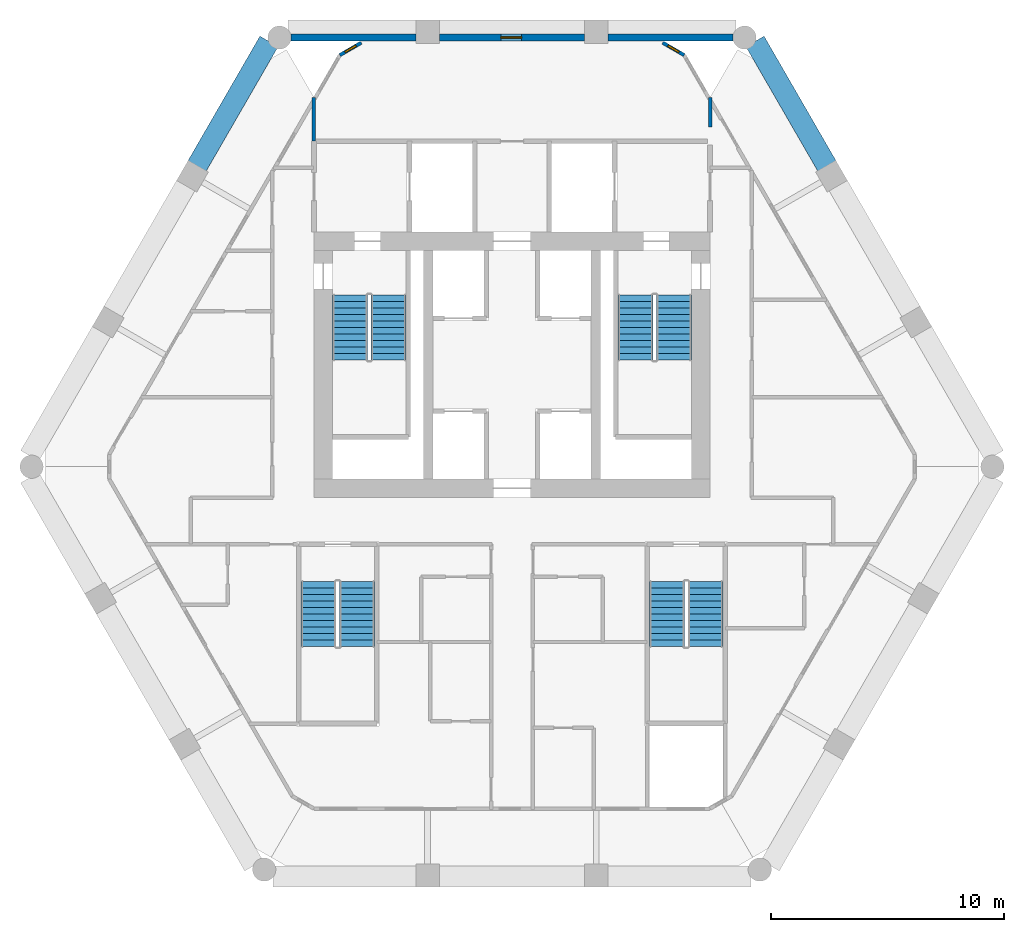
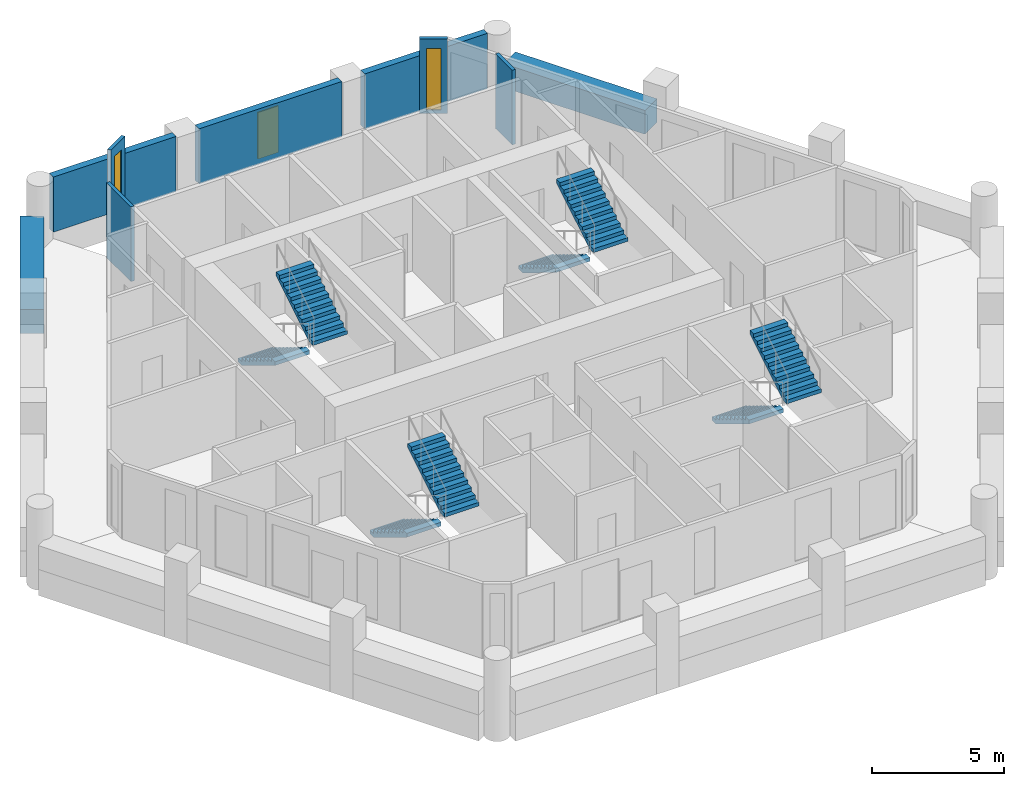
# One storey, part 6 of 7: 9 walls, 8 stair flights, 3 windows, 3 openings, 4 elements without a shape of their own.
"""IFC4 building model written with IfcOpenShell, lengths in metres."""

import ifcopenshell
import ifcopenshell.guid

model = None  # the IFC model being written
_history = None  # IfcOwnerHistory: only IFC2X3 demands one
_inside = {}  # id of a spatial element -> (the spatial element, [elements in it])
_under = {}  # id of a project, library or spatial element -> (it, [spatial elements below it])
_declared = {}  # id of a project -> (the project, [libraries it declares])
_typed = {}  # id of a type object -> (the type object, [elements of that type])
_made_of = {}  # id of a material, layer set ... -> (it, [elements and type objects made of it])


def new_model(schema):
    """Start an empty IFC model of exactly this schema.

    Asked for "IFC4X3", IfcOpenShell would pick the latest addendum, in which some entities
    have other attributes; the version numbers below select the first issue.
    IFC2X3 requires an IfcOwnerHistory on every rooted entity: one is made here for all.
    """
    global model, _history
    if schema == "IFC4X3":
        model = ifcopenshell.file(schema_version=(4, 3, 0, 0))
    else:
        model = ifcopenshell.file(schema=schema)
    _inside.clear()
    _under.clear()
    _declared.clear()
    _typed.clear()
    _made_of.clear()
    _history = None
    if model.schema == "IFC2X3":
        org = make("IfcOrganization", Name="unknown")
        user = make(
            "IfcPersonAndOrganization",
            ThePerson=make("IfcPerson", FamilyName="unknown"),
            TheOrganization=org,
        )
        app = make(
            "IfcApplication",
            ApplicationDeveloper=org,
            Version="unknown",
            ApplicationFullName="unknown",
            ApplicationIdentifier="unknown",
        )
        _history = make(
            "IfcOwnerHistory",
            OwningUser=user,
            OwningApplication=app,
            ChangeAction="ADDED",
            CreationDate=0,
        )
    return model


def make(cls, **values):
    """One entity of the class cls with the attributes given. An attribute that is None is left unset."""
    return model.create_entity(
        cls, **{name: value for name, value in values.items() if value is not None}
    )


def rooted(cls, **values):
    """An entity with a GlobalId (a new one), such as an element, a storey or a relation."""
    return make(cls, GlobalId=ifcopenshell.guid.new(), OwnerHistory=_history, **values)


def si_unit(unit_type, name, prefix=None):
    """IfcSIUnit, for example si_unit("LENGTHUNIT", "METRE", prefix="MILLI")."""
    return make("IfcSIUnit", UnitType=unit_type, Prefix=prefix, Name=name)


def assignment(units):
    """IfcUnitAssignment: the units of a project."""
    return None if units is None else make("IfcUnitAssignment", Units=units)


def point(xyz):
    """IfcCartesianPoint."""
    return None if xyz is None else make("IfcCartesianPoint", Coordinates=xyz)


def direction(xyz):
    """IfcDirection."""
    return None if xyz is None else make("IfcDirection", DirectionRatios=xyz)


def frame(location, z_axis=None, x_axis=None):
    """IfcAxis2Placement3D, a coordinate frame: its origin and axes. An axis left out is left unset."""
    return make(
        "IfcAxis2Placement3D",
        Location=point(location),
        Axis=direction(z_axis),
        RefDirection=direction(x_axis),
    )


def frame_2d(location, x_axis=None):
    """IfcAxis2Placement2D, a coordinate frame in the plane: its origin and x axis."""
    return make(
        "IfcAxis2Placement2D", Location=point(location), RefDirection=direction(x_axis)
    )


def origin():
    """The frame at (0, 0, 0) with its axes left unset."""
    return frame((0.0, 0.0, 0.0))


def place(relative_to, where):
    """IfcLocalPlacement: puts the frame where relative to a parent placement (None: the world)."""
    return make(
        "IfcLocalPlacement", PlacementRelTo=relative_to, RelativePlacement=where
    )


def context(
    kind, dimensions, precision=None, world=None, true_north=None, identifier=None
):
    """IfcGeometricRepresentationContext, for example the 3D "Model" context."""
    return make(
        "IfcGeometricRepresentationContext",
        ContextIdentifier=identifier,
        ContextType=kind,
        CoordinateSpaceDimension=dimensions,
        Precision=precision,
        WorldCoordinateSystem=world,
        TrueNorth=true_north,
    )


def subcontext(parent, identifier, kind, view, scale=None):
    """IfcGeometricRepresentationSubContext, for example "Body" below "Model"."""
    return make(
        "IfcGeometricRepresentationSubContext",
        ContextIdentifier=identifier,
        ContextType=kind,
        ParentContext=parent,
        TargetScale=scale,
        TargetView=view,
    )


def project(units=None, contexts=None):
    """IfcProject with its units and contexts."""
    return rooted(
        "IfcProject",
        Name="project",
        RepresentationContexts=contexts,
        UnitsInContext=assignment(units),
    )


def spatial(cls, under=None, at=None, **own):
    """A site, building, storey or space (cls), placed at a placement, below another one or the project."""
    s = rooted(cls, ObjectPlacement=at, **own)
    if under is not None:
        _under.setdefault(under.id(), (under, []))[1].append(s)
    return s


def polyline(points):
    """IfcPolyline through the points."""
    return make("IfcPolyline", Points=[point(p) for p in points])


def profile(cls, at=None, kind="AREA", **sizes):
    """A parametric profile (cls). Its sizes go by their IFC names, for example OverallWidth=200.0."""
    return make(cls, ProfileType=kind, Position=at, **sizes)


def rectangle(**sizes):
    """IfcRectangleProfileDef."""
    return profile("IfcRectangleProfileDef", **sizes)


def outline(outer, holes=None, kind="AREA"):
    """IfcArbitraryClosedProfileDef: a profile drawn as a closed curve; with holes, ...WithVoids."""
    if holes is None:
        return make("IfcArbitraryClosedProfileDef", ProfileType=kind, OuterCurve=outer)
    return make(
        "IfcArbitraryProfileDefWithVoids",
        ProfileType=kind,
        OuterCurve=outer,
        InnerCurves=holes,
    )


def extrude(swept, where, along, depth):
    """IfcExtrudedAreaSolid: the profile swept, set in the frame where, extruded along a direction by depth."""
    return make(
        "IfcExtrudedAreaSolid",
        SweptArea=swept,
        Position=where,
        ExtrudedDirection=direction(along),
        Depth=depth,
    )


def shape(context_of_items, identifier, shape_type, items):
    """IfcShapeRepresentation: the items that make up one representation, for example the "Body"."""
    return make(
        "IfcShapeRepresentation",
        ContextOfItems=context_of_items,
        RepresentationIdentifier=identifier,
        RepresentationType=shape_type,
        Items=items,
    )


def material(Name=None, Category=None):
    """IfcMaterial."""
    return make("IfcMaterial", Name=Name, Category=Category)


def layer(
    of_material, thickness, ventilated=None, Name=None, Category=None, Priority=None
):
    """IfcMaterialLayer: one layer of a wall or slab, of a material (None: an air gap)."""
    return make(
        "IfcMaterialLayer",
        Material=of_material,
        LayerThickness=thickness,
        IsVentilated=ventilated,
        Name=Name,
        Category=Category,
        Priority=Priority,
    )


def layer_set(layers, Name=None):
    """IfcMaterialLayerSet."""
    return make("IfcMaterialLayerSet", MaterialLayers=layers, LayerSetName=Name)


def made_of(thing, what):
    """Note that an element or type object is made of a material, layer set ...; save() writes the relation."""
    if what is not None:
        _made_of.setdefault(what.id(), (what, []))[1].append(thing)
    return thing


def type_object(cls, material=None, **own):
    """A type object (cls), such as IfcWallType, which elements share."""
    return made_of(rooted(cls, **own), material)


def element(
    cls,
    number,
    at=None,
    inside=None,
    cuts=None,
    type_object=None,
    material=None,
    context=None,
    identifier="Body",
    shape_type=None,
    held_by="IfcProductDefinitionShape",
    body=None,
    shapes=None,
    **own,
):
    """One element of the class cls, such as IfcWall. Its Tag is "e" and its number.

    at: its placement. inside: the storey or other place that contains it. cuts: it is an
    opening in that element (IfcRelVoidsElement). A single representation is given by context,
    identifier, shape_type and body (its items); several are given by shapes. held_by: the class
    of the entity that holds the representations. save() writes the other relations.
    """
    e = rooted(cls, Tag="e%d" % number, ObjectPlacement=at, **own)
    if body is not None:
        shapes = [shape(context, identifier, shape_type, body)]
    if shapes is not None:
        e.Representation = make(held_by, Representations=shapes)
    if inside is not None:
        _inside.setdefault(inside.id(), (inside, []))[1].append(e)
    if cuts is not None:
        rooted(
            "IfcRelVoidsElement", RelatingBuildingElement=cuts, RelatedOpeningElement=e
        )
    if type_object is not None:
        _typed.setdefault(type_object.id(), (type_object, []))[1].append(e)
    return made_of(e, material)


def fill(opening, filler):
    """IfcRelFillsElement: the door or window that sits in an opening."""
    return rooted(
        "IfcRelFillsElement",
        RelatingOpeningElement=opening,
        RelatedBuildingElement=filler,
    )


def aggregate(whole, parts):
    """IfcRelAggregates: a whole, such as a stair, and the parts it consists of."""
    return rooted("IfcRelAggregates", RelatingObject=whole, RelatedObjects=parts)


def save(model, path):
    """Write the relations noted so far, then the file.

    IfcRelAggregates (storeys below a building ...), IfcRelContainedInSpatialStructure (elements
    in a storey), IfcRelDefinesByType, IfcRelAssociatesMaterial and IfcRelDeclares: one each for
    every whole, place, type object, material and project.
    """
    for whole, parts in _under.values():
        aggregate(whole, parts)
    for where, things in _inside.values():
        rooted(
            "IfcRelContainedInSpatialStructure",
            RelatedElements=things,
            RelatingStructure=where,
        )
    for kind, things in _typed.values():
        rooted("IfcRelDefinesByType", RelatedObjects=things, RelatingType=kind)
    for what, things in _made_of.values():
        rooted("IfcRelAssociatesMaterial", RelatedObjects=things, RelatingMaterial=what)
    for by, libraries in _declared.values():
        rooted("IfcRelDeclares", RelatingContext=by, RelatedDefinitions=libraries)
    model.write(path)


model = new_model("IFC4")

# Units and contexts
model_context = context("Model", 3, precision=1e-05, world=origin(), true_north=direction((0.0, 1.0)))
body_context = subcontext(model_context, "Body", "Model", "MODEL_VIEW")
ifc_project = project(units=[si_unit("LENGTHUNIT", "METRE"), si_unit("AREAUNIT", "SQUARE_METRE"), si_unit("VOLUMEUNIT", "CUBIC_METRE"), si_unit("PLANEANGLEUNIT", "RADIAN"), si_unit("MASSUNIT", "GRAM", prefix="KILO")], contexts=[model_context])

# Site, building, storey
site_placement = place(None, origin())
site = spatial("IfcSite", under=ifc_project, at=site_placement, CompositionType="ELEMENT")
building_placement = place(site_placement, origin())
building = spatial("IfcBuilding", under=site, at=building_placement, Name="Ostrander Bayou Hotel Tower", CompositionType="ELEMENT")
storey_placement = place(building_placement, frame((0.0, 0.0, 172.0)))
storey = spatial("IfcBuildingStorey", under=building, at=storey_placement, Name="L42", CompositionType="ELEMENT", Elevation=172.0)

# Wall, opening, window
ifc_material_1 = material(Name="Aluminium framed insulated wall", Category="aluminium")
ifc_layer_1 = layer(ifc_material_1, 0.14990234375)
ifc_layer_set_1 = layer_set([ifc_layer_1], Name="GW1 glass-line wall 150 mm")
wall_type_1 = type_object("IfcWallType", Name="GW1 glass-line wall 150 mm", PredefinedType="SOLIDWALL", material=ifc_layer_set_1)
wall_1_placement = place(storey_placement, frame((-6.470458984375, 17.824951171875, 0.0), z_axis=(0.0, 0.0, 1.0), x_axis=(-0.866048165231, -0.499960573946, 0.0)))
wall_1 = element("IfcWall", 1, at=wall_1_placement, inside=storey, type_object=wall_type_1, Name="GW1 L42 corner 1", PredefinedType="SOLIDWALL", context=body_context, shape_type="SweptSolid", body=[
    extrude(rectangle(XDim=1.06494140625, YDim=0.14990234375, at=frame_2d((0.532470703125, 0.0))), origin(), (0.0, 0.0, 1.0), 3.449951171875),
])
opening_1_placement = place(wall_1_placement, frame((0.257568359375, 0.0, 0.14990234375)))
opening_1 = element("IfcOpeningElement", 2, at=opening_1_placement, cuts=wall_1, Name="Opening W19", PredefinedType="OPENING", context=body_context, shape_type="SweptSolid", body=[
    extrude(rectangle(XDim=0.550048828125, YDim=2.85009765625, at=frame_2d((0.27490234375, 1.425048828125))), frame((0.0, 0.074951171875, 0.0), z_axis=(0.0, -1.0, 0.0), x_axis=(1.0, 0.0, 0.0)), (0.0, 0.0, 1.0), 0.14990234375),
])
ifc_material_2 = material(Name="Aluminium and clear glass", Category="aluminium")
window_type_1 = type_object("IfcWindowType", Name="W19 corner window 550 mm", PartitioningType="SINGLE_PANEL", PredefinedType="WINDOW", material=ifc_material_2)
window_1_placement = place(opening_1_placement, origin())
window_1 = element("IfcWindow", 3, at=window_1_placement, inside=storey, type_object=window_type_1, Name="W19 L42 corner 1", OverallHeight=2.85009765625, OverallWidth=0.550048828125, PartitioningType="SINGLE_PANEL", PredefinedType="WINDOW", context=body_context, shape_type="SweptSolid", body=[
    extrude(rectangle(XDim=0.550048828125, YDim=2.85009765625, at=frame_2d((0.27490234375, 1.425048828125))), frame((0.0, 0.030029296875, 0.0), z_axis=(0.0, -1.0, 0.0), x_axis=(1.0, 0.0, 0.0)), (0.0, 0.0, 1.0), 0.06005859375),
])
fill(opening_1, window_1)

wall_2_placement = place(storey_placement, frame((7.392822265625, 17.29248046875, 0.0), z_axis=(0.0, 0.0, 1.0), x_axis=(-0.866048165231, 0.499960573946, 0.0)))
wall_2 = element("IfcWall", 4, at=wall_2_placement, inside=storey, type_object=wall_type_1, Name="GW1 L42 corner 6", PredefinedType="SOLIDWALL", context=body_context, shape_type="SweptSolid", body=[
    extrude(rectangle(XDim=1.06494140625, YDim=0.14990234375, at=frame_2d((0.532470703125, 0.0))), origin(), (0.0, 0.0, 1.0), 3.449951171875),
])
opening_2_placement = place(wall_2_placement, frame((0.257568359375, 0.0, 0.14990234375)))
opening_2 = element("IfcOpeningElement", 5, at=opening_2_placement, cuts=wall_2, Name="Opening W19", PredefinedType="OPENING", context=body_context, shape_type="SweptSolid", body=[
    extrude(rectangle(XDim=0.550048828125, YDim=2.85009765625, at=frame_2d((0.27490234375, 1.425048828125))), frame((0.0, 0.074951171875, 0.0), z_axis=(0.0, -1.0, 0.0), x_axis=(1.0, 0.0, 0.0)), (0.0, 0.0, 1.0), 0.14990234375),
])
window_2_placement = place(opening_2_placement, origin())
window_2 = element("IfcWindow", 6, at=window_2_placement, inside=storey, type_object=window_type_1, Name="W19 L42 corner 6", OverallHeight=2.85009765625, OverallWidth=0.550048828125, PartitioningType="SINGLE_PANEL", PredefinedType="WINDOW", context=body_context, shape_type="SweptSolid", body=[
    extrude(rectangle(XDim=0.550048828125, YDim=2.85009765625, at=frame_2d((0.27490234375, 1.425048828125))), frame((0.0, 0.030029296875, 0.0), z_axis=(0.0, -1.0, 0.0), x_axis=(1.0, 0.0, 0.0)), (0.0, 0.0, 1.0), 0.06005859375),
])
fill(opening_2, window_2)

# Wall
ifc_material_3 = material(Name="Reconstituted stone on masonry backing", Category="masonry")
ifc_layer_2 = layer(ifc_material_3, 0.300048828125)
ifc_layer_set_2 = layer_set([ifc_layer_2], Name="NW1 north stone wall 300 mm")
wall_type_2 = type_object("IfcWallType", Name="NW1 north stone wall 300 mm", PredefinedType="SOLIDWALL", material=ifc_layer_set_2)
wall_3_placement = place(storey_placement, frame((9.484375, 18.050048828125, 0.0), z_axis=(0.0, 0.0, 1.0), x_axis=(-1.0, 0.0, 0.0)))
element("IfcWall", 7, at=wall_3_placement, inside=storey, type_object=wall_type_2, Name="NW1 L42 N-1", PredefinedType="SOLIDWALL", context=body_context, shape_type="SweptSolid", body=[
    extrude(rectangle(XDim=5.3662109375, YDim=0.300048828125, at=frame_2d((2.68310546875, 0.0))), origin(), (0.0, 0.0, 1.0), 2.550048828125),
])

# Wall, opening, window
wall_4_placement = place(storey_placement, frame((3.1181640625, 18.050048828125, 0.0), z_axis=(0.0, 0.0, 1.0), x_axis=(-1.0, 0.0, 0.0)))
wall_4 = element("IfcWall", 8, at=wall_4_placement, inside=storey, type_object=wall_type_2, Name="NW1 L42 N-2", PredefinedType="SOLIDWALL", context=body_context, shape_type="SweptSolid", body=[
    extrude(rectangle(XDim=6.236328125, YDim=0.300048828125, at=frame_2d((3.1181640625, 0.0))), origin(), (0.0, 0.0, 1.0), 2.550048828125),
])
opening_3_placement = place(wall_4_placement, frame((2.699951171875, 0.0, 0.14990234375)))
opening_3 = element("IfcOpeningElement", 9, at=opening_3_placement, cuts=wall_4, Name="Opening W17", PredefinedType="OPENING", context=body_context, shape_type="SweptSolid", body=[
    extrude(rectangle(XDim=0.89990234375, YDim=2.14990234375, at=frame_2d((0.449951171875, 1.074951171875))), frame((0.0, 0.14990234375, 0.0), z_axis=(0.0, -1.0, 0.0), x_axis=(1.0, 0.0, 0.0)), (0.0, 0.0, 1.0), 0.300048828125),
])
ifc_material_4 = material(Name="Aluminium and clear glass", Category="aluminium")
window_type_2 = type_object("IfcWindowType", Name="W17 window 900 mm, zone 3", PartitioningType="SINGLE_PANEL", PredefinedType="WINDOW", material=ifc_material_4)
window_3_placement = place(opening_3_placement, origin())
window_3 = element("IfcWindow", 10, at=window_3_placement, inside=storey, type_object=window_type_2, Name="W17 L42 north N-2", OverallHeight=2.14990234375, OverallWidth=0.89990234375, PartitioningType="SINGLE_PANEL", PredefinedType="WINDOW", context=body_context, shape_type="SweptSolid", body=[
    extrude(rectangle(XDim=0.89990234375, YDim=2.14990234375, at=frame_2d((0.449951171875, 1.074951171875))), frame((0.0, 0.030029296875, 0.0), z_axis=(0.0, -1.0, 0.0), x_axis=(1.0, 0.0, 0.0)), (0.0, 0.0, 1.0), 0.06005859375),
])
fill(opening_3, window_3)

# Walls
wall_5_placement = place(storey_placement, frame((-4.1181640625, 18.050048828125, 0.0), z_axis=(0.0, 0.0, 1.0), x_axis=(-1.0, 0.0, 0.0)))
element("IfcWall", 11, at=wall_5_placement, inside=storey, type_object=wall_type_2, Name="NW1 L42 N-3", PredefinedType="SOLIDWALL", context=body_context, shape_type="SweptSolid", body=[
    extrude(rectangle(XDim=5.3662109375, YDim=0.300048828125, at=frame_2d((2.68310546875, 0.0))), origin(), (0.0, 0.0, 1.0), 2.550048828125),
])
ifc_material_5 = material(Name="Concrete f'c 40 MPa", Category="concrete")
ifc_layer_3 = layer(ifc_material_5, 0.89990234375)
ifc_layer_set_3 = layer_set([ifc_layer_3], Name="PA1 stone-faced parapet 900 mm")
wall_type_3 = type_object("IfcWallType", Name="PA1 stone-faced parapet 900 mm", PredefinedType="PARAPET", material=ifc_layer_set_3)
for number, where, z_axis, x_axis, name in (
    (12, (-10.430908203125, 17.88037109375, 0.0), (0.0, 0.0, 1.0), (-0.49998343065, -0.866034969892, 0.0), "PA1 L42 NW-1"),
    (13, (13.521484375, 12.527099609375, 0.0), (0.0, 0.0, 1.0), (-0.49998343065, 0.866034969892, 0.0), "PA1 L42 NE-3"),
):
    element("IfcWall", number, at=place(storey_placement, frame(where, z_axis=z_axis, x_axis=x_axis)), inside=storey, type_object=wall_type_3, Name=name, PredefinedType="PARAPET", context=body_context, shape_type="SweptSolid", body=[
        extrude(rectangle(XDim=6.181396484375, YDim=0.89990234375, at=frame_2d((3.0908203125, 0.0))), origin(), (0.0, 0.0, 1.0), 1.10009765625),
    ])
ifc_material_6 = material(Name="Gypsum board partition", Category="finish")
ifc_layer_4 = layer(ifc_material_6, 0.14990234375)
ifc_layer_set_4 = layer_set([ifc_layer_4], Name="PT8 service band wall 150 mm, 1 hour")
wall_type_4 = type_object("IfcWallType", Name="PT8 service band wall 150 mm, 1 hour", PredefinedType="PARTITIONING", material=ifc_layer_set_4)
wall_6_placement = place(storey_placement, frame((8.5, 14.202880859375, 0.0), z_axis=(0.0, 0.0, 1.0), x_axis=(0.0, 1.0, 0.0)))
element("IfcWall", 14, at=wall_6_placement, inside=storey, type_object=wall_type_4, Name="gw:L42:027", PredefinedType="PARTITIONING", context=body_context, shape_type="SweptSolid", body=[
    extrude(rectangle(XDim=1.26220703125, YDim=0.14990234375, at=frame_2d((0.631103515625, 0.0))), origin(), (0.0, 0.0, 1.0), 3.449951171875),
])
wall_7_placement = place(storey_placement, frame((-8.5, 13.610107421875, 0.0), z_axis=(0.0, 0.0, 1.0), x_axis=(0.0, 1.0, 0.0)))
element("IfcWall", 15, at=wall_7_placement, inside=storey, type_object=wall_type_4, Name="gw:L42:035", PredefinedType="PARTITIONING", context=body_context, shape_type="SweptSolid", body=[
    extrude(rectangle(XDim=1.85498046875, YDim=0.14990234375, at=frame_2d((0.927490234375, 0.0))), origin(), (0.0, 0.0, 1.0), 3.449951171875),
])

# Stair, stair flights
ifc_material_7 = material(Name="Concrete f'c 45 MPa", Category="concrete")
stair_type = type_object("IfcStairType", Name="ST1 exit stair 1500 mm f'c 45 MPa", PredefinedType="HALF_TURN_STAIR", material=ifc_material_7)
stair_1_placement = place(storey_placement, origin())
stair_1 = element("IfcStair", 16, at=stair_1_placement, inside=storey, type_object=stair_type, Name="L42 exit stair A", PredefinedType="HALF_TURN_STAIR")
ifc_material_8 = material(Name="Concrete f'c 45 MPa", Category="concrete")
stair_flight_type = type_object("IfcStairFlightType", Name="SF1 stair flight 1500 mm f'c 45 MPa", PredefinedType="STRAIGHT", material=ifc_material_8)
stair_flight_1_placement = place(storey_placement, frame((-6.949951171875, 7.0, 0.0), z_axis=(0.0, 0.0, 1.0), x_axis=(0.0, -1.0, 0.0)))
stair_flight_1 = element("IfcStairFlight", 17, at=stair_flight_1_placement, type_object=stair_flight_type, Name="STA flight 1", NumberOfRisers=11, NumberOfTreads=10, PredefinedType="STRAIGHT", RiserHeight=0.170454545, TreadLength=0.28, context=body_context, shape_type="SweptSolid", body=[
    extrude(outline(polyline([(0.0, 0.0), (0.0, 0.17041015625), (0.280029296875, 0.17041015625), (0.280029296875, 0.3408203125), (0.56005859375, 0.3408203125), (0.56005859375, 0.511474609375), (0.840087890625, 0.511474609375), (0.840087890625, 0.681884765625), (1.1201171875, 0.681884765625), (1.1201171875, 0.852294921875), (1.39990234375, 0.852294921875), (1.39990234375, 1.022705078125), (1.679931640625, 1.022705078125), (1.679931640625, 1.193115234375), (1.9599609375, 1.193115234375), (1.9599609375, 1.363525390625), (2.239990234375, 1.363525390625), (2.239990234375, 1.5341796875), (2.52001953125, 1.5341796875), (2.52001953125, 1.70458984375), (2.800048828125, 1.70458984375), (2.800048828125, 1.875), (2.800048828125, 1.529052734375), (0.288330078125, 0.0), (0.0, 0.0)])), frame((0.0, 0.75, 0.0), z_axis=(0.0, -1.0, 0.0), x_axis=(1.0, 0.0, 0.0)), (0.0, 0.0, 1.0), 1.5),
])
stair_flight_2_placement = place(storey_placement, frame((-5.300048828125, 4.199951171875, 1.875), z_axis=(0.0, 0.0, 1.0), x_axis=(0.0, 1.0, 0.0)))
stair_flight_2 = element("IfcStairFlight", 18, at=stair_flight_2_placement, type_object=stair_flight_type, Name="STA flight 2", NumberOfRisers=11, NumberOfTreads=10, PredefinedType="STRAIGHT", RiserHeight=0.170454545, TreadLength=0.28, context=body_context, shape_type="SweptSolid", body=[
    extrude(outline(polyline([(0.0, 0.0), (0.0, 0.17041015625), (0.280029296875, 0.17041015625), (0.280029296875, 0.3408203125), (0.56005859375, 0.3408203125), (0.56005859375, 0.511474609375), (0.840087890625, 0.511474609375), (0.840087890625, 0.681884765625), (1.1201171875, 0.681884765625), (1.1201171875, 0.852294921875), (1.39990234375, 0.852294921875), (1.39990234375, 1.022705078125), (1.679931640625, 1.022705078125), (1.679931640625, 1.193115234375), (1.9599609375, 1.193115234375), (1.9599609375, 1.363525390625), (2.239990234375, 1.363525390625), (2.239990234375, 1.5341796875), (2.52001953125, 1.5341796875), (2.52001953125, 1.70458984375), (2.800048828125, 1.70458984375), (2.800048828125, 1.875), (2.800048828125, 1.529052734375), (0.288330078125, 0.0), (0.0, 0.0)])), frame((0.0, 0.75, 0.0), z_axis=(0.0, -1.0, 0.0), x_axis=(1.0, 0.0, 0.0)), (0.0, 0.0, 1.0), 1.5),
])
aggregate(stair_1, [stair_flight_1, stair_flight_2])

stair_2_placement = place(storey_placement, origin())
stair_2 = element("IfcStair", 19, at=stair_2_placement, inside=storey, type_object=stair_type, Name="L42 exit stair B", PredefinedType="HALF_TURN_STAIR")
stair_flight_3_placement = place(storey_placement, frame((5.300048828125, 7.0, 0.0), z_axis=(0.0, 0.0, 1.0), x_axis=(0.0, -1.0, 0.0)))
stair_flight_3 = element("IfcStairFlight", 20, at=stair_flight_3_placement, type_object=stair_flight_type, Name="STB flight 1", NumberOfRisers=11, NumberOfTreads=10, PredefinedType="STRAIGHT", RiserHeight=0.170454545, TreadLength=0.28, context=body_context, shape_type="SweptSolid", body=[
    extrude(outline(polyline([(0.0, 0.0), (0.0, 0.17041015625), (0.280029296875, 0.17041015625), (0.280029296875, 0.3408203125), (0.56005859375, 0.3408203125), (0.56005859375, 0.511474609375), (0.840087890625, 0.511474609375), (0.840087890625, 0.681884765625), (1.1201171875, 0.681884765625), (1.1201171875, 0.852294921875), (1.39990234375, 0.852294921875), (1.39990234375, 1.022705078125), (1.679931640625, 1.022705078125), (1.679931640625, 1.193115234375), (1.9599609375, 1.193115234375), (1.9599609375, 1.363525390625), (2.239990234375, 1.363525390625), (2.239990234375, 1.5341796875), (2.52001953125, 1.5341796875), (2.52001953125, 1.70458984375), (2.800048828125, 1.70458984375), (2.800048828125, 1.875), (2.800048828125, 1.529052734375), (0.288330078125, 0.0), (0.0, 0.0)])), frame((0.0, 0.75, 0.0), z_axis=(0.0, -1.0, 0.0), x_axis=(1.0, 0.0, 0.0)), (0.0, 0.0, 1.0), 1.5),
])
stair_flight_4_placement = place(storey_placement, frame((6.949951171875, 4.199951171875, 1.875), z_axis=(0.0, 0.0, 1.0), x_axis=(0.0, 1.0, 0.0)))
stair_flight_4 = element("IfcStairFlight", 21, at=stair_flight_4_placement, type_object=stair_flight_type, Name="STB flight 2", NumberOfRisers=11, NumberOfTreads=10, PredefinedType="STRAIGHT", RiserHeight=0.170454545, TreadLength=0.28, context=body_context, shape_type="SweptSolid", body=[
    extrude(outline(polyline([(0.0, 0.0), (0.0, 0.17041015625), (0.280029296875, 0.17041015625), (0.280029296875, 0.3408203125), (0.56005859375, 0.3408203125), (0.56005859375, 0.511474609375), (0.840087890625, 0.511474609375), (0.840087890625, 0.681884765625), (1.1201171875, 0.681884765625), (1.1201171875, 0.852294921875), (1.39990234375, 0.852294921875), (1.39990234375, 1.022705078125), (1.679931640625, 1.022705078125), (1.679931640625, 1.193115234375), (1.9599609375, 1.193115234375), (1.9599609375, 1.363525390625), (2.239990234375, 1.363525390625), (2.239990234375, 1.5341796875), (2.52001953125, 1.5341796875), (2.52001953125, 1.70458984375), (2.800048828125, 1.70458984375), (2.800048828125, 1.875), (2.800048828125, 1.529052734375), (0.288330078125, 0.0), (0.0, 0.0)])), frame((0.0, 0.75, 0.0), z_axis=(0.0, -1.0, 0.0), x_axis=(1.0, 0.0, 0.0)), (0.0, 0.0, 1.0), 1.5),
])
aggregate(stair_2, [stair_flight_3, stair_flight_4])

stair_3_placement = place(storey_placement, origin())
stair_3 = element("IfcStair", 22, at=stair_3_placement, inside=storey, type_object=stair_type, Name="L42 exit stair C", PredefinedType="HALF_TURN_STAIR")
stair_flight_5_placement = place(storey_placement, frame((6.64990234375, -5.300048828125, 0.0), z_axis=(0.0, 0.0, 1.0), x_axis=(0.0, -1.0, 0.0)))
stair_flight_5 = element("IfcStairFlight", 23, at=stair_flight_5_placement, type_object=stair_flight_type, Name="STC flight 1", NumberOfRisers=11, NumberOfTreads=10, PredefinedType="STRAIGHT", RiserHeight=0.170454545, TreadLength=0.28, context=body_context, shape_type="SweptSolid", body=[
    extrude(outline(polyline([(0.0, 0.0), (0.0, 0.17041015625), (0.280029296875, 0.17041015625), (0.280029296875, 0.3408203125), (0.56005859375, 0.3408203125), (0.56005859375, 0.511474609375), (0.840087890625, 0.511474609375), (0.840087890625, 0.681884765625), (1.1201171875, 0.681884765625), (1.1201171875, 0.852294921875), (1.39990234375, 0.852294921875), (1.39990234375, 1.022705078125), (1.679931640625, 1.022705078125), (1.679931640625, 1.193115234375), (1.9599609375, 1.193115234375), (1.9599609375, 1.363525390625), (2.239990234375, 1.363525390625), (2.239990234375, 1.5341796875), (2.52001953125, 1.5341796875), (2.52001953125, 1.70458984375), (2.800048828125, 1.70458984375), (2.800048828125, 1.875), (2.800048828125, 1.529052734375), (0.288330078125, 0.0), (0.0, 0.0)])), frame((0.0, 0.75, 0.0), z_axis=(0.0, -1.0, 0.0), x_axis=(1.0, 0.0, 0.0)), (0.0, 0.0, 1.0), 1.5),
])
stair_flight_6_placement = place(storey_placement, frame((8.300048828125, -8.10009765625, 1.875), z_axis=(0.0, 0.0, 1.0), x_axis=(0.0, 1.0, 0.0)))
stair_flight_6 = element("IfcStairFlight", 24, at=stair_flight_6_placement, type_object=stair_flight_type, Name="STC flight 2", NumberOfRisers=11, NumberOfTreads=10, PredefinedType="STRAIGHT", RiserHeight=0.170454545, TreadLength=0.28, context=body_context, shape_type="SweptSolid", body=[
    extrude(outline(polyline([(0.0, 0.0), (0.0, 0.17041015625), (0.280029296875, 0.17041015625), (0.280029296875, 0.3408203125), (0.56005859375, 0.3408203125), (0.56005859375, 0.511474609375), (0.840087890625, 0.511474609375), (0.840087890625, 0.681884765625), (1.1201171875, 0.681884765625), (1.1201171875, 0.852294921875), (1.39990234375, 0.852294921875), (1.39990234375, 1.022705078125), (1.679931640625, 1.022705078125), (1.679931640625, 1.193115234375), (1.9599609375, 1.193115234375), (1.9599609375, 1.363525390625), (2.239990234375, 1.363525390625), (2.239990234375, 1.5341796875), (2.52001953125, 1.5341796875), (2.52001953125, 1.70458984375), (2.800048828125, 1.70458984375), (2.800048828125, 1.875), (2.800048828125, 1.529052734375), (0.288330078125, 0.0), (0.0, 0.0)])), frame((0.0, 0.75, 0.0), z_axis=(0.0, -1.0, 0.0), x_axis=(1.0, 0.0, 0.0)), (0.0, 0.0, 1.0), 1.5),
])
aggregate(stair_3, [stair_flight_5, stair_flight_6])

stair_4_placement = place(storey_placement, origin())
stair_4 = element("IfcStair", 25, at=stair_4_placement, inside=storey, type_object=stair_type, Name="L42 exit stair D", PredefinedType="HALF_TURN_STAIR")
stair_flight_7_placement = place(storey_placement, frame((-8.300048828125, -5.300048828125, 0.0), z_axis=(0.0, 0.0, 1.0), x_axis=(0.0, -1.0, 0.0)))
stair_flight_7 = element("IfcStairFlight", 26, at=stair_flight_7_placement, type_object=stair_flight_type, Name="STD flight 1", NumberOfRisers=11, NumberOfTreads=10, PredefinedType="STRAIGHT", RiserHeight=0.170454545, TreadLength=0.28, context=body_context, shape_type="SweptSolid", body=[
    extrude(outline(polyline([(0.0, 0.0), (0.0, 0.17041015625), (0.280029296875, 0.17041015625), (0.280029296875, 0.3408203125), (0.56005859375, 0.3408203125), (0.56005859375, 0.511474609375), (0.840087890625, 0.511474609375), (0.840087890625, 0.681884765625), (1.1201171875, 0.681884765625), (1.1201171875, 0.852294921875), (1.39990234375, 0.852294921875), (1.39990234375, 1.022705078125), (1.679931640625, 1.022705078125), (1.679931640625, 1.193115234375), (1.9599609375, 1.193115234375), (1.9599609375, 1.363525390625), (2.239990234375, 1.363525390625), (2.239990234375, 1.5341796875), (2.52001953125, 1.5341796875), (2.52001953125, 1.70458984375), (2.800048828125, 1.70458984375), (2.800048828125, 1.875), (2.800048828125, 1.529052734375), (0.288330078125, 0.0), (0.0, 0.0)])), frame((0.0, 0.75, 0.0), z_axis=(0.0, -1.0, 0.0), x_axis=(1.0, 0.0, 0.0)), (0.0, 0.0, 1.0), 1.5),
])
stair_flight_8_placement = place(storey_placement, frame((-6.64990234375, -8.10009765625, 1.875), z_axis=(0.0, 0.0, 1.0), x_axis=(0.0, 1.0, 0.0)))
stair_flight_8 = element("IfcStairFlight", 27, at=stair_flight_8_placement, type_object=stair_flight_type, Name="STD flight 2", NumberOfRisers=11, NumberOfTreads=10, PredefinedType="STRAIGHT", RiserHeight=0.170454545, TreadLength=0.28, context=body_context, shape_type="SweptSolid", body=[
    extrude(outline(polyline([(0.0, 0.0), (0.0, 0.17041015625), (0.280029296875, 0.17041015625), (0.280029296875, 0.3408203125), (0.56005859375, 0.3408203125), (0.56005859375, 0.511474609375), (0.840087890625, 0.511474609375), (0.840087890625, 0.681884765625), (1.1201171875, 0.681884765625), (1.1201171875, 0.852294921875), (1.39990234375, 0.852294921875), (1.39990234375, 1.022705078125), (1.679931640625, 1.022705078125), (1.679931640625, 1.193115234375), (1.9599609375, 1.193115234375), (1.9599609375, 1.363525390625), (2.239990234375, 1.363525390625), (2.239990234375, 1.5341796875), (2.52001953125, 1.5341796875), (2.52001953125, 1.70458984375), (2.800048828125, 1.70458984375), (2.800048828125, 1.875), (2.800048828125, 1.529052734375), (0.288330078125, 0.0), (0.0, 0.0)])), frame((0.0, 0.75, 0.0), z_axis=(0.0, -1.0, 0.0), x_axis=(1.0, 0.0, 0.0)), (0.0, 0.0, 1.0), 1.5),
])
aggregate(stair_4, [stair_flight_7, stair_flight_8])

save(model, "model.ifc")
